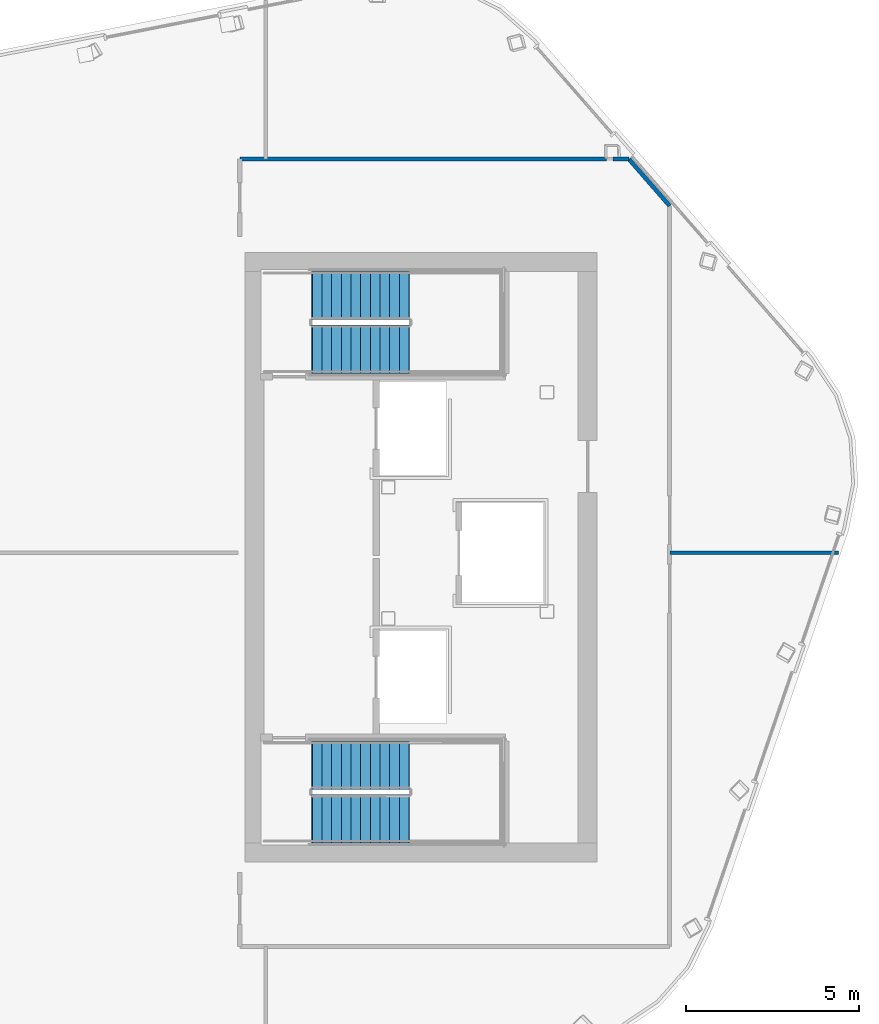
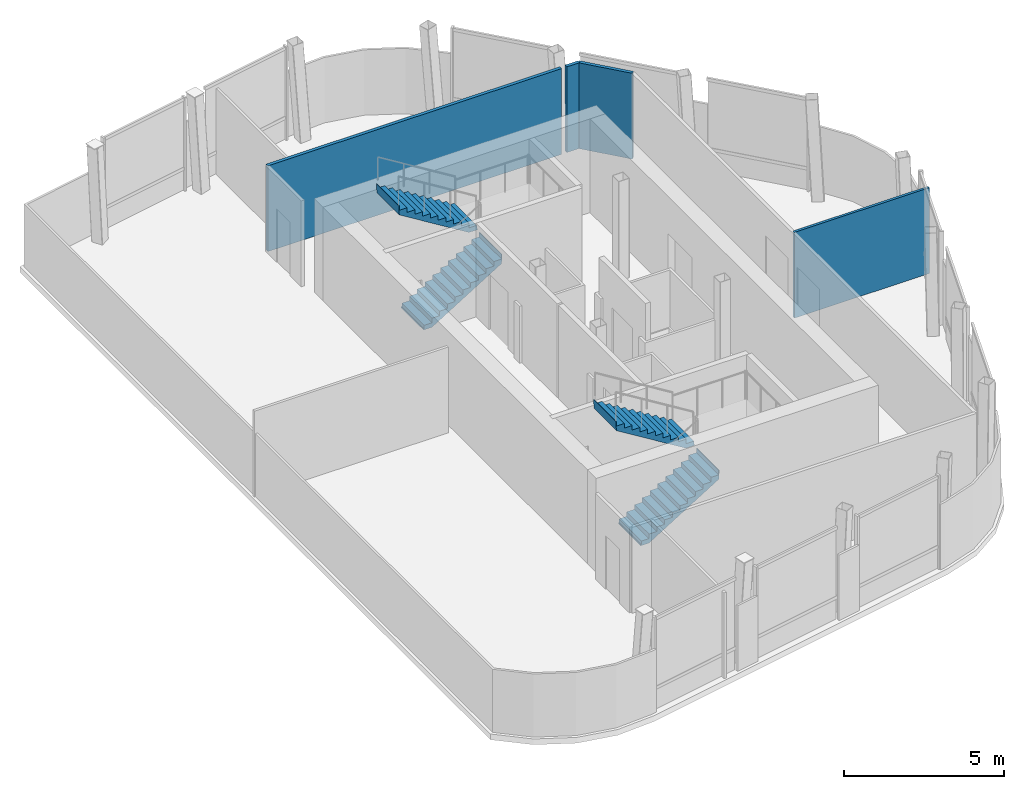
# One storey, part 3 of 5: 4 stair flights, 4 walls, 2 elements without a shape of their own.
"""IFC4 building model written with IfcOpenShell, lengths in metres."""

from ifc_helpers import new_model, si_unit, direction, frame, frame_2d, origin, place, context, subcontext, project, spatial, polyline, rectangle, outline, extrude, material, layer, layer_set, type_object, element, aggregate, save


model = new_model("IFC4")

# Units and contexts
model_context = context("Model", 3, precision=1e-05, world=origin(), true_north=direction((0.0, 1.0)))
body_context = subcontext(model_context, "Body", "Model", "MODEL_VIEW")
ifc_project = project(units=[si_unit("LENGTHUNIT", "METRE"), si_unit("AREAUNIT", "SQUARE_METRE"), si_unit("VOLUMEUNIT", "CUBIC_METRE"), si_unit("PLANEANGLEUNIT", "RADIAN"), si_unit("MASSUNIT", "GRAM", prefix="KILO")], contexts=[model_context])

# Site, building, storey
site_placement = place(None, origin())
site = spatial("IfcSite", under=ifc_project, at=site_placement, CompositionType="ELEMENT")
building_placement = place(site_placement, origin())
building = spatial("IfcBuilding", under=site, at=building_placement, Name="Valkerne Bourse Tower", CompositionType="ELEMENT")
storey_placement = place(building_placement, frame((0.0, 0.0, 330.60009765625)))
storey = spatial("IfcBuildingStorey", under=building, at=storey_placement, Name="L84", CompositionType="ELEMENT", Elevation=330.60009765625)

# Walls
ifc_material_1 = material(Name="Gypsum Board Steel-Stud Partition", Category="steel")
ifc_layer_1 = layer(ifc_material_1, 0.117919921875)
ifc_layer_set_1 = layer_set([ifc_layer_1], Name="Gypsum Board Steel-Stud Partition")
wall_type_1 = type_object("IfcWallType", Name="W-CORR-140", PredefinedType="PARTITIONING", material=ifc_layer_set_1)
wall_1_placement = place(storey_placement, frame((46.050048828125, 38.39990234375, 0.0), z_axis=(0.0, 0.0, 1.0), x_axis=(1.0, 0.0, 0.0)))
element("IfcWall", 1, at=wall_1_placement, inside=storey, type_object=wall_type_1, Name="L84 Corridor Enclosure Wall", PredefinedType="PARTITIONING", context=body_context, shape_type="SweptSolid", body=[
    extrude(rectangle(XDim=10.619384765625, YDim=0.117919921875, at=frame_2d((5.3095703125, 0.0))), origin(), (0.0, 0.0, 1.0), 3.27978515625),
])
wall_2_placement = place(storey_placement, frame((56.86328125, 38.39990234375, 0.0), z_axis=(0.0, 0.0, 1.0), x_axis=(1.0, 0.0, 0.0)))
element("IfcWall", 2, at=wall_2_placement, inside=storey, type_object=wall_type_1, Name="L84 Corridor Enclosure Wall", PredefinedType="PARTITIONING", context=body_context, shape_type="SweptSolid", body=[
    extrude(rectangle(XDim=0.456787109375, YDim=0.117919921875, at=frame_2d((0.228515625, 0.0))), origin(), (0.0, 0.0, 1.0), 3.27978515625),
])
wall_3_placement = place(storey_placement, frame((57.320068359375, 38.39990234375, 0.0), z_axis=(0.0, 0.0, 1.0), x_axis=(0.657454215128, -0.753494495674, 0.0)))
element("IfcWall", 3, at=wall_3_placement, inside=storey, type_object=wall_type_1, Name="L84 Corridor Enclosure Wall", PredefinedType="PARTITIONING", context=body_context, shape_type="SweptSolid", body=[
    extrude(rectangle(XDim=1.794677734375, YDim=0.117919921875, at=frame_2d((0.8974609375, 0.0))), origin(), (0.0, 0.0, 1.0), 3.27978515625),
])
ifc_layer_2 = layer(ifc_material_1, 0.092041015625)
ifc_layer_set_2 = layer_set([ifc_layer_2], Name="Gypsum Board Steel-Stud Partition")
wall_type_2 = type_object("IfcWallType", Name="W-PART-115", PredefinedType="PARTITIONING", material=ifc_layer_set_2)
wall_4_placement = place(storey_placement, frame((58.5048828125, 27.0, 0.0), z_axis=(0.0, 0.0, 1.0), x_axis=(1.0, 0.0, 0.0)))
element("IfcWall", 4, at=wall_4_placement, inside=storey, type_object=wall_type_2, Name="L84 Suite Partition P03", PredefinedType="PARTITIONING", context=body_context, shape_type="SweptSolid", body=[
    extrude(rectangle(XDim=4.881103515625, YDim=0.092041015625, at=frame_2d((2.4404296875, 0.0))), origin(), (0.0, 0.0, 1.0), 3.27978515625),
])

# Stair, stair flights
ifc_material_2 = material(Name="Concrete C40/50", Category="concrete")
stair_type = type_object("IfcStairType", Name="ST-CORE-1400", PredefinedType="HALF_TURN_STAIR", material=ifc_material_2)
stair_1_placement = place(storey_placement, origin())
stair_1 = element("IfcStair", 5, at=stair_1_placement, inside=storey, type_object=stair_type, Name="L84 ST-1", PredefinedType="HALF_TURN_STAIR")
stair_flight_type = type_object("IfcStairFlightType", Name="STF-CORE-1400", PredefinedType="STRAIGHT", material=ifc_material_2)
stair_flight_1_placement = place(storey_placement, frame((48.14990234375, 19.300048828125, 0.0), z_axis=(0.0, 0.0, 1.0), x_axis=(1.0, 0.0, 0.0)))
stair_flight_1 = element("IfcStairFlight", 6, at=stair_flight_1_placement, type_object=stair_flight_type, Name="ST-1 flight 1", NumberOfRisers=11, NumberOfTreads=10, PredefinedType="STRAIGHT", RiserHeight=0.172727273, TreadLength=0.28, context=body_context, shape_type="SweptSolid", body=[
    extrude(outline(polyline([(-0.02001953125, 0.0), (-0.02001953125, 0.044921875), (0.0, 0.044921875), (0.0, 0.172607421875), (0.280029296875, 0.172607421875), (0.280029296875, 0.345458984375), (0.56005859375, 0.345458984375), (0.56005859375, 0.51806640625), (0.840087890625, 0.51806640625), (0.840087890625, 0.69091796875), (1.1201171875, 0.69091796875), (1.1201171875, 0.863525390625), (1.39990234375, 0.863525390625), (1.39990234375, 1.036376953125), (1.679931640625, 1.036376953125), (1.679931640625, 1.208984375), (1.9599609375, 1.208984375), (1.9599609375, 1.3818359375), (2.239990234375, 1.3818359375), (2.239990234375, 1.554443359375), (2.52001953125, 1.554443359375), (2.52001953125, 1.727294921875), (2.800048828125, 1.727294921875), (2.800048828125, 1.89990234375), (2.820068359375, 1.89990234375), (2.820068359375, 1.780029296875), (2.800048828125, 1.551025390625), (0.285400390625, 0.0), (-0.02001953125, 0.0)])), frame((0.0, 0.699951171875, 0.0), z_axis=(0.0, -1.0, 0.0), x_axis=(1.0, 0.0, 0.0)), (0.0, 0.0, 1.0), 1.39990234375),
])
stair_flight_2_placement = place(storey_placement, frame((50.949951171875, 20.85009765625, 1.89990234375), z_axis=(0.0, 0.0, 1.0), x_axis=(-1.0, 0.0, 0.0)))
stair_flight_2 = element("IfcStairFlight", 7, at=stair_flight_2_placement, type_object=stair_flight_type, Name="ST-1 flight 2", NumberOfRisers=11, NumberOfTreads=10, PredefinedType="STRAIGHT", RiserHeight=0.172727273, TreadLength=0.28, context=body_context, shape_type="SweptSolid", body=[
    extrude(outline(polyline([(-0.02001953125, 0.0), (-0.02001953125, 0.044921875), (0.0, 0.044921875), (0.0, 0.172607421875), (0.280029296875, 0.172607421875), (0.280029296875, 0.345458984375), (0.56005859375, 0.345458984375), (0.56005859375, 0.51806640625), (0.840087890625, 0.51806640625), (0.840087890625, 0.69091796875), (1.1201171875, 0.69091796875), (1.1201171875, 0.863525390625), (1.39990234375, 0.863525390625), (1.39990234375, 1.036376953125), (1.679931640625, 1.036376953125), (1.679931640625, 1.208984375), (1.9599609375, 1.208984375), (1.9599609375, 1.3818359375), (2.239990234375, 1.3818359375), (2.239990234375, 1.554443359375), (2.52001953125, 1.554443359375), (2.52001953125, 1.727294921875), (2.800048828125, 1.727294921875), (2.800048828125, 1.89990234375), (2.820068359375, 1.89990234375), (2.820068359375, 1.780029296875), (2.800048828125, 1.551025390625), (0.285400390625, 0.0), (-0.02001953125, 0.0)])), frame((0.0, 0.699951171875, 0.0), z_axis=(0.0, -1.0, 0.0), x_axis=(1.0, 0.0, 0.0)), (0.0, 0.0, 1.0), 1.39990234375),
])
aggregate(stair_1, [stair_flight_1, stair_flight_2])

stair_2_placement = place(storey_placement, origin())
stair_2 = element("IfcStair", 8, at=stair_2_placement, inside=storey, type_object=stair_type, Name="L84 ST-2", PredefinedType="HALF_TURN_STAIR")
stair_flight_3_placement = place(storey_placement, frame((48.14990234375, 32.89990234375, 0.0), z_axis=(0.0, 0.0, 1.0), x_axis=(1.0, 0.0, 0.0)))
stair_flight_3 = element("IfcStairFlight", 9, at=stair_flight_3_placement, type_object=stair_flight_type, Name="ST-2 flight 1", NumberOfRisers=11, NumberOfTreads=10, PredefinedType="STRAIGHT", RiserHeight=0.172727273, TreadLength=0.28, context=body_context, shape_type="SweptSolid", body=[
    extrude(outline(polyline([(-0.02001953125, 0.0), (-0.02001953125, 0.044921875), (0.0, 0.044921875), (0.0, 0.172607421875), (0.280029296875, 0.172607421875), (0.280029296875, 0.345458984375), (0.56005859375, 0.345458984375), (0.56005859375, 0.51806640625), (0.840087890625, 0.51806640625), (0.840087890625, 0.69091796875), (1.1201171875, 0.69091796875), (1.1201171875, 0.863525390625), (1.39990234375, 0.863525390625), (1.39990234375, 1.036376953125), (1.679931640625, 1.036376953125), (1.679931640625, 1.208984375), (1.9599609375, 1.208984375), (1.9599609375, 1.3818359375), (2.239990234375, 1.3818359375), (2.239990234375, 1.554443359375), (2.52001953125, 1.554443359375), (2.52001953125, 1.727294921875), (2.800048828125, 1.727294921875), (2.800048828125, 1.89990234375), (2.820068359375, 1.89990234375), (2.820068359375, 1.780029296875), (2.800048828125, 1.551025390625), (0.285400390625, 0.0), (-0.02001953125, 0.0)])), frame((0.0, 0.699951171875, 0.0), z_axis=(0.0, -1.0, 0.0), x_axis=(1.0, 0.0, 0.0)), (0.0, 0.0, 1.0), 1.39990234375),
])
stair_flight_4_placement = place(storey_placement, frame((50.949951171875, 34.449951171875, 1.89990234375), z_axis=(0.0, 0.0, 1.0), x_axis=(-1.0, 0.0, 0.0)))
stair_flight_4 = element("IfcStairFlight", 10, at=stair_flight_4_placement, type_object=stair_flight_type, Name="ST-2 flight 2", NumberOfRisers=11, NumberOfTreads=10, PredefinedType="STRAIGHT", RiserHeight=0.172727273, TreadLength=0.28, context=body_context, shape_type="SweptSolid", body=[
    extrude(outline(polyline([(-0.02001953125, 0.0), (-0.02001953125, 0.044921875), (0.0, 0.044921875), (0.0, 0.172607421875), (0.280029296875, 0.172607421875), (0.280029296875, 0.345458984375), (0.56005859375, 0.345458984375), (0.56005859375, 0.51806640625), (0.840087890625, 0.51806640625), (0.840087890625, 0.69091796875), (1.1201171875, 0.69091796875), (1.1201171875, 0.863525390625), (1.39990234375, 0.863525390625), (1.39990234375, 1.036376953125), (1.679931640625, 1.036376953125), (1.679931640625, 1.208984375), (1.9599609375, 1.208984375), (1.9599609375, 1.3818359375), (2.239990234375, 1.3818359375), (2.239990234375, 1.554443359375), (2.52001953125, 1.554443359375), (2.52001953125, 1.727294921875), (2.800048828125, 1.727294921875), (2.800048828125, 1.89990234375), (2.820068359375, 1.89990234375), (2.820068359375, 1.780029296875), (2.800048828125, 1.551025390625), (0.285400390625, 0.0), (-0.02001953125, 0.0)])), frame((0.0, 0.699951171875, 0.0), z_axis=(0.0, -1.0, 0.0), x_axis=(1.0, 0.0, 0.0)), (0.0, 0.0, 1.0), 1.39990234375),
])
aggregate(stair_2, [stair_flight_3, stair_flight_4])

save(model, "model.ifc")
